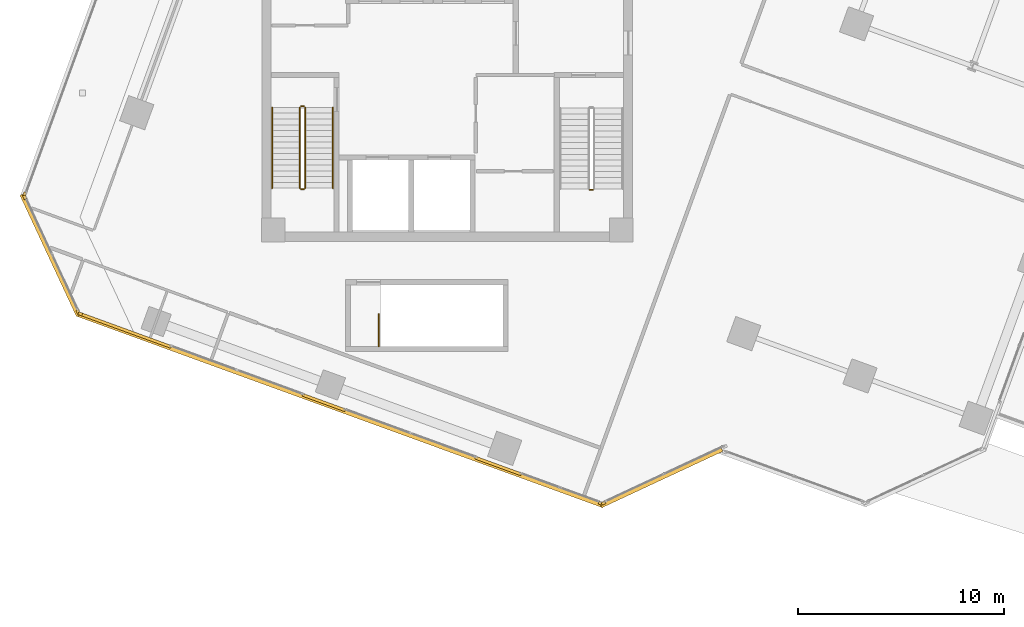
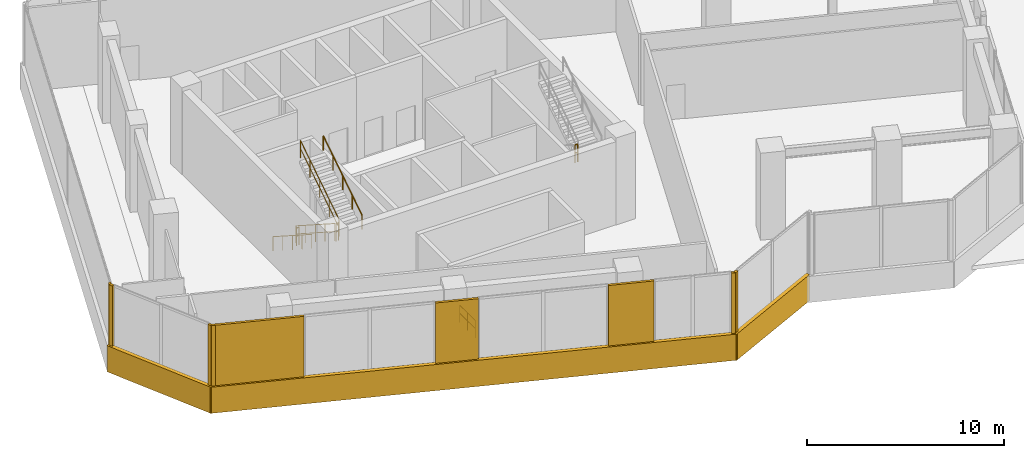
# One storey, part 18 of 21: 12 coverings, 8 railings.
"""IFC4 building model written with IfcOpenShell, lengths in metres."""

from ifc_helpers import new_model, si_unit, direction, frame, origin, origin_2d, place, context, subcontext, project, spatial, rectangle, circle, extrude, source, transform, mapped, material, layer, layer_set, type_object, element, save


model = new_model("IFC4")

# Units and contexts
model_context = context("Model", 3, precision=1e-05, world=origin(), true_north=direction((0.0, 1.0)))
body_context = subcontext(model_context, "Body", "Model", "MODEL_VIEW")
ifc_project = project(units=[si_unit("LENGTHUNIT", "METRE"), si_unit("AREAUNIT", "SQUARE_METRE"), si_unit("VOLUMEUNIT", "CUBIC_METRE"), si_unit("PLANEANGLEUNIT", "RADIAN"), si_unit("MASSUNIT", "GRAM", prefix="KILO")], contexts=[model_context])

# Site, building, storey
site_placement = place(None, origin())
site = spatial("IfcSite", under=ifc_project, at=site_placement, CompositionType="ELEMENT")
building_placement = place(site_placement, origin())
building = spatial("IfcBuilding", under=site, at=building_placement, Name="Torre Montelarca", CompositionType="ELEMENT")
storey_placement = place(building_placement, frame((0.0, 0.0, 127.60009765625)))
storey = spatial("IfcBuildingStorey", under=building, at=storey_placement, Name="L28", CompositionType="ELEMENT", Elevation=127.60009765625)

# Railings
ifc_material_1 = material(Name="Powder-coated steel ASTM A500 Grade C", Category="steel")
railing_type_1 = type_object("IfcRailingType", Name="RL-GUARD-1100", PredefinedType="BALUSTRADE", material=ifc_material_1)
railing_1_placement = place(storey_placement, frame((10.85009765625, 30.5, 0.179931640625)))
element("IfcRailing", 1, at=railing_1_placement, inside=storey, type_object=railing_type_1, Name="L28 ST1 stair guard 1", PredefinedType="BALUSTRADE", context=body_context, shape_type="SweptSolid", body=[
    extrude(circle(Radius=0.02392578125, at=origin_2d()), frame((0.0, 0.0, 1.076171875), z_axis=(0.0, -0.841171666519, 0.540768182723), x_axis=(1.0, 0.0, 0.0)), (0.0, 0.0, 1.0), 4.66015625),
    extrude(circle(Radius=0.02099609375, at=origin_2d()), frame((0.0, 0.0, 0.572021484375), z_axis=(0.0, -0.841171666519, 0.540768182723), x_axis=(1.0, 0.0, 0.0)), (0.0, 0.0, 1.0), 4.66015625),
    extrude(circle(Radius=0.02099609375, at=origin_2d()), origin(), (0.0, 0.0, 1.0), 1.052001953125),
    extrude(circle(Radius=0.02099609375, at=origin_2d()), frame((0.0, -0.97998046875, 0.6298828125)), (0.0, 0.0, 1.0), 1.052001953125),
    extrude(circle(Radius=0.02099609375, at=origin_2d()), frame((0.0, -1.9599609375, 1.260009765625)), (0.0, 0.0, 1.0), 1.052001953125),
    extrude(circle(Radius=0.02099609375, at=origin_2d()), frame((0.0, -2.93994140625, 1.89013671875)), (0.0, 0.0, 1.0), 1.052001953125),
    extrude(circle(Radius=0.02099609375, at=origin_2d()), frame((0.0, -3.919921875, 2.52001953125)), (0.0, 0.0, 1.0), 1.052001953125),
])
railing_2_placement = place(storey_placement, frame((10.89990234375, 26.530029296875, 2.699951171875)))
element("IfcRailing", 2, at=railing_2_placement, inside=storey, type_object=railing_type_1, Name="L28 ST1 stair guard 2", PredefinedType="BALUSTRADE", context=body_context, shape_type="SweptSolid", body=[
    extrude(circle(Radius=0.02392578125, at=origin_2d()), frame((0.0, 0.0, 1.076171875), z_axis=(1.0, 0.0, 0.0), x_axis=(0.0, 1.0, 0.0)), (0.0, 0.0, 1.0), 0.150146484375),
    extrude(circle(Radius=0.02099609375, at=origin_2d()), frame((0.0, 0.0, 0.572021484375), z_axis=(1.0, 0.0, 0.0), x_axis=(0.0, 1.0, 0.0)), (0.0, 0.0, 1.0), 0.150146484375),
    extrude(circle(Radius=0.02099609375, at=origin_2d()), origin(), (0.0, 0.0, 1.0), 1.052001953125),
    extrude(circle(Radius=0.02099609375, at=origin_2d()), frame((0.150146484375, 0.0, 0.0)), (0.0, 0.0, 1.0), 1.052001953125),
])
railing_3_placement = place(storey_placement, frame((11.10009765625, 26.580078125, 2.8798828125)))
element("IfcRailing", 3, at=railing_3_placement, inside=storey, type_object=railing_type_1, Name="L28 ST1 stair guard 3", PredefinedType="BALUSTRADE", context=body_context, shape_type="SweptSolid", body=[
    extrude(circle(Radius=0.02392578125, at=origin_2d()), frame((0.0, 0.0, 1.076171875), z_axis=(0.0, 0.841171666519, 0.540768182723), x_axis=(-1.0, 0.0, 0.0)), (0.0, 0.0, 1.0), 4.66015625),
    extrude(circle(Radius=0.02099609375, at=origin_2d()), frame((0.0, 0.0, 0.572021484375), z_axis=(0.0, 0.841171666519, 0.540768182723), x_axis=(-1.0, 0.0, 0.0)), (0.0, 0.0, 1.0), 4.66015625),
    extrude(circle(Radius=0.02099609375, at=origin_2d()), origin(), (0.0, 0.0, 1.0), 1.052001953125),
    extrude(circle(Radius=0.02099609375, at=origin_2d()), frame((0.0, 0.97998046875, 0.6298828125)), (0.0, 0.0, 1.0), 1.052001953125),
    extrude(circle(Radius=0.02099609375, at=origin_2d()), frame((0.0, 1.9599609375, 1.260009765625)), (0.0, 0.0, 1.0), 1.052001953125),
    extrude(circle(Radius=0.02099609375, at=origin_2d()), frame((0.0, 2.93994140625, 1.89013671875)), (0.0, 0.0, 1.0), 1.052001953125),
    extrude(circle(Radius=0.02099609375, at=origin_2d()), frame((0.0, 3.919921875, 2.52001953125)), (0.0, 0.0, 1.0), 1.052001953125),
])
for number, where, name in (
    (4, (10.89990234375, 30.550048828125, 0.0), "L28 ST1 stair guard 4"),
    (5, (24.919921875, 26.5, 2.699951171875), "L28 ST2 stair guard 2"),
):
    element("IfcRailing", number, at=place(storey_placement, frame(where)), inside=storey, type_object=railing_type_1, Name=name, PredefinedType="BALUSTRADE", context=body_context, shape_type="SweptSolid", body=[
        extrude(circle(Radius=0.02392578125, at=origin_2d()), frame((0.0, 0.0, 1.076171875), z_axis=(1.0, 0.0, 0.0), x_axis=(0.0, 1.0, 0.0)), (0.0, 0.0, 1.0), 0.150146484375),
        extrude(circle(Radius=0.02099609375, at=origin_2d()), frame((0.0, 0.0, 0.572021484375), z_axis=(1.0, 0.0, 0.0), x_axis=(0.0, 1.0, 0.0)), (0.0, 0.0, 1.0), 0.150146484375),
        extrude(circle(Radius=0.02099609375, at=origin_2d()), origin(), (0.0, 0.0, 1.0), 1.052001953125),
        extrude(circle(Radius=0.02099609375, at=origin_2d()), frame((0.150146484375, 0.0, 0.0)), (0.0, 0.0, 1.0), 1.052001953125),
    ])
railing_4_placement = place(storey_placement, frame((14.669921875, 18.89990234375, 0.0)))
element("IfcRailing", 6, at=railing_4_placement, inside=storey, type_object=railing_type_1, Name="L28 ST3 top well guard 1", PredefinedType="BALUSTRADE", context=body_context, shape_type="SweptSolid", body=[
    extrude(circle(Radius=0.02392578125, at=origin_2d()), frame((0.0, 0.0, 1.076171875), z_axis=(0.0, 1.0, 0.0), x_axis=(-1.0, 0.0, 0.0)), (0.0, 0.0, 1.0), 1.570068359375),
    extrude(circle(Radius=0.02099609375, at=origin_2d()), frame((0.0, 0.0, 0.572021484375), z_axis=(0.0, 1.0, 0.0), x_axis=(-1.0, 0.0, 0.0)), (0.0, 0.0, 1.0), 1.570068359375),
    extrude(circle(Radius=0.02099609375, at=origin_2d()), origin(), (0.0, 0.0, 1.0), 1.052001953125),
    extrude(circle(Radius=0.02099609375, at=origin_2d()), frame((0.0, 0.78515625, 0.0)), (0.0, 0.0, 1.0), 1.052001953125),
    extrude(circle(Radius=0.02099609375, at=origin_2d()), frame((0.0, 1.570068359375, 0.0)), (0.0, 0.0, 1.0), 1.052001953125),
])
ifc_material_2 = material(Name="Brushed stainless steel AISI 316", Category="steel")
railing_type_2 = type_object("IfcRailingType", Name="RL-HANDRAIL-900", PredefinedType="HANDRAIL", material=ifc_material_2)
railing_5_placement = place(storey_placement, frame((9.5, 30.5, 0.179931640625)))
element("IfcRailing", 7, at=railing_5_placement, inside=storey, type_object=railing_type_2, Name="L28 ST1 stair handrail 1", PredefinedType="HANDRAIL", context=body_context, shape_type="SweptSolid", body=[
    extrude(circle(Radius=0.02392578125, at=origin_2d()), frame((0.0, 0.0, 0.8759765625), z_axis=(0.0, -0.841171666519, 0.540768182723), x_axis=(1.0, 0.0, 0.0)), (0.0, 0.0, 1.0), 4.66015625),
    extrude(circle(Radius=0.02099609375, at=origin_2d()), origin(), (0.0, 0.0, 1.0), 0.851806640625),
    extrude(circle(Radius=0.02099609375, at=origin_2d()), frame((0.0, -0.97998046875, 0.6298828125)), (0.0, 0.0, 1.0), 0.851806640625),
    extrude(circle(Radius=0.02099609375, at=origin_2d()), frame((0.0, -1.9599609375, 1.260009765625)), (0.0, 0.0, 1.0), 0.851806640625),
    extrude(circle(Radius=0.02099609375, at=origin_2d()), frame((0.0, -2.93994140625, 1.89013671875)), (0.0, 0.0, 1.0), 0.851806640625),
    extrude(circle(Radius=0.02099609375, at=origin_2d()), frame((0.0, -3.919921875, 2.52001953125)), (0.0, 0.0, 1.0), 0.851806640625),
])
railing_6_placement = place(storey_placement, frame((12.449951171875, 26.580078125, 2.8798828125)))
element("IfcRailing", 8, at=railing_6_placement, inside=storey, type_object=railing_type_2, Name="L28 ST1 stair handrail 2", PredefinedType="HANDRAIL", context=body_context, shape_type="SweptSolid", body=[
    extrude(circle(Radius=0.02392578125, at=origin_2d()), frame((0.0, 0.0, 0.8759765625), z_axis=(0.0, 0.841171666519, 0.540768182723), x_axis=(-1.0, 0.0, 0.0)), (0.0, 0.0, 1.0), 4.66015625),
    extrude(circle(Radius=0.02099609375, at=origin_2d()), origin(), (0.0, 0.0, 1.0), 0.851806640625),
    extrude(circle(Radius=0.02099609375, at=origin_2d()), frame((0.0, 0.97998046875, 0.6298828125)), (0.0, 0.0, 1.0), 0.851806640625),
    extrude(circle(Radius=0.02099609375, at=origin_2d()), frame((0.0, 1.9599609375, 1.260009765625)), (0.0, 0.0, 1.0), 0.851806640625),
    extrude(circle(Radius=0.02099609375, at=origin_2d()), frame((0.0, 2.93994140625, 1.89013671875)), (0.0, 0.0, 1.0), 0.851806640625),
    extrude(circle(Radius=0.02099609375, at=origin_2d()), frame((0.0, 3.919921875, 2.52001953125)), (0.0, 0.0, 1.0), 0.851806640625),
])

# Coverings
ifc_material_3 = material(Name="Bush-hammered warm white precast concrete C45/55", Category="concrete")
ifc_layer = layer(ifc_material_3, 0.139892578125, Name="Bush-hammered warm white precast concrete C45/55", Category="concrete")
ifc_layer_set = layer_set([ifc_layer], Name="Bush-hammered warm white precast concrete C45/55")
covering_type = type_object("IfcCoveringType", Name="COV-TRAY-CLAD", PredefinedType="CLADDING", material=ifc_layer_set)
shared_shape_1 = source(origin(), body_context, "Body", "SweptSolid", [
    extrude(rectangle(XDim=6.48388671875, YDim=0.219970703125, at=origin_2d()), origin(), (0.0, 0.0, 1.0), 1.6201171875),
])
for number, where, z_axis, x_axis, name in (
    (9, (28.38916015625, 12.54150390625, -0.4501953125), (0.0, 0.0, 1.0), (0.906309262247, 0.422615098127, 0.0), "L28 Architectural White Spandrel Tray Band TRYBOT-02"),
    (10, (-1.265380859375, 23.334716796875, -0.4501953125), (0.0, 0.0, 1.0), (0.422615098127, -0.906309262247, 0.0), "L28 Architectural White Spandrel Tray Band TRYBOT-11"),
):
    element("IfcCovering", number, at=place(storey_placement, frame(where, z_axis=z_axis, x_axis=x_axis)), inside=storey, type_object=covering_type, Name=name, PredefinedType="CLADDING", context=body_context, shape_type="MappedRepresentation", body=[
        mapped(shared_shape_1, transform((0.0, 0.0, 0.0), scale=1.0)),
    ])
shared_shape_2 = source(origin(), body_context, "Body", "SweptSolid", [
    extrude(rectangle(XDim=27.219970703125, YDim=0.219970703125, at=origin_2d()), origin(), (0.0, 0.0, 1.0), 1.6201171875),
])
covering_1_placement = place(storey_placement, frame((12.79541015625, 15.83203125, -0.4501953125), z_axis=(0.0, 0.0, 1.0), x_axis=(0.939693217722, -0.342018503252, 0.0)))
element("IfcCovering", 11, at=covering_1_placement, inside=storey, type_object=covering_type, Name="L28 Architectural White Spandrel Tray Band TRYBOT-01", PredefinedType="CLADDING", context=body_context, shape_type="MappedRepresentation", body=[
    mapped(shared_shape_2, transform((0.0, 0.0, 0.0), scale=1.0)),
])
shared_shape_3 = source(origin(), body_context, "Body", "SweptSolid", [
    extrude(rectangle(XDim=2.360107421875, YDim=0.139892578125, at=origin_2d()), origin(), (0.0, 0.0, 1.0), 4.919921875),
])
covering_2_placement = place(storey_placement, frame((20.474365234375, 13.10107421875, 0.0), z_axis=(0.0, 0.0, 1.0), x_axis=(0.939693814656, -0.342016863178, 0.0)))
element("IfcCovering", 12, at=covering_2_placement, inside=storey, type_object=covering_type, Name="L28 Architectural Column Pier Cladding E01-4", PredefinedType="CLADDING", context=body_context, shape_type="MappedRepresentation", body=[
    mapped(shared_shape_3, transform((0.0, 0.0, 0.0), scale=1.0)),
])
shared_shape_4 = source(origin(), body_context, "Body", "SweptSolid", [
    extrude(rectangle(XDim=0.199951171875, YDim=0.139892578125, at=origin_2d()), origin(), (0.0, 0.0, 1.0), 4.919921875),
])
for number, where, z_axis, x_axis, name in (
    (13, (0.19189453125, 20.483154296875, 0.0), (0.0, 0.0, 1.0), (0.939693814656, -0.342016863178, 0.0), "L28 Architectural Column Pier Cladding E01-1"),
    (14, (25.439697265625, 11.293701171875, 0.0), (0.0, 0.0, 1.0), (0.939693814656, -0.342016863178, 0.0), "L28 Architectural Column Pier Cladding E01-5"),
    (15, (25.5849609375, 11.30029296875, 0.0), (0.0, 0.0, 1.0), (0.906314425397, 0.422604025439, 0.0), "L28 Architectural Column Pier Cladding E02-1"),
    (16, (-2.51318359375, 26.2841796875, 0.0), (0.0, 0.0, 1.0), (-0.342018503252, -0.939693217722, 0.0), "L28 Architectural Column Pier Cladding E10-2"),
    (17, (-2.506591796875, 26.138916015625, 0.0), (0.0, 0.0, 1.0), (0.422611934508, -0.906310737447, 0.0), "L28 Architectural Column Pier Cladding E11-1"),
    (18, (0.084716796875, 20.581298828125, 0.0), (0.0, 0.0, 1.0), (0.422611934508, -0.906310737447, 0.0), "L28 Architectural Column Pier Cladding E11-2"),
):
    element("IfcCovering", number, at=place(storey_placement, frame(where, z_axis=z_axis, x_axis=x_axis)), inside=storey, type_object=covering_type, Name=name, PredefinedType="CLADDING", context=body_context, shape_type="MappedRepresentation", body=[
        mapped(shared_shape_4, transform((0.0, 0.0, 0.0), scale=1.0)),
    ])
shared_shape_5 = source(origin(), body_context, "Body", "SweptSolid", [
    extrude(rectangle(XDim=4.689208984375, YDim=0.139892578125, at=origin_2d()), origin(), (0.0, 0.0, 1.0), 4.919921875),
])
covering_3_placement = place(storey_placement, frame((2.39501953125, 19.681396484375, 0.0), z_axis=(0.0, 0.0, 1.0), x_axis=(0.939693814656, -0.342016863178, 0.0)))
element("IfcCovering", 19, at=covering_3_placement, inside=storey, type_object=covering_type, Name="L28 Architectural Column Pier Cladding E01-2", PredefinedType="CLADDING", context=body_context, shape_type="MappedRepresentation", body=[
    mapped(shared_shape_5, transform((0.0, 0.0, 0.0), scale=1.0)),
])
shared_shape_6 = source(origin(), body_context, "Body", "SweptSolid", [
    extrude(rectangle(XDim=2.2099609375, YDim=0.139892578125, at=origin_2d()), origin(), (0.0, 0.0, 1.0), 4.919921875),
])
covering_4_placement = place(storey_placement, frame((12.01708984375, 16.17919921875, 0.0), z_axis=(0.0, 0.0, 1.0), x_axis=(0.939693814656, -0.342016863178, 0.0)))
element("IfcCovering", 20, at=covering_4_placement, inside=storey, type_object=covering_type, Name="L28 Architectural Column Pier Cladding E01-3", PredefinedType="CLADDING", context=body_context, shape_type="MappedRepresentation", body=[
    mapped(shared_shape_6, transform((0.0, 0.0, 0.0), scale=1.0)),
])

save(model, "model.ifc")
